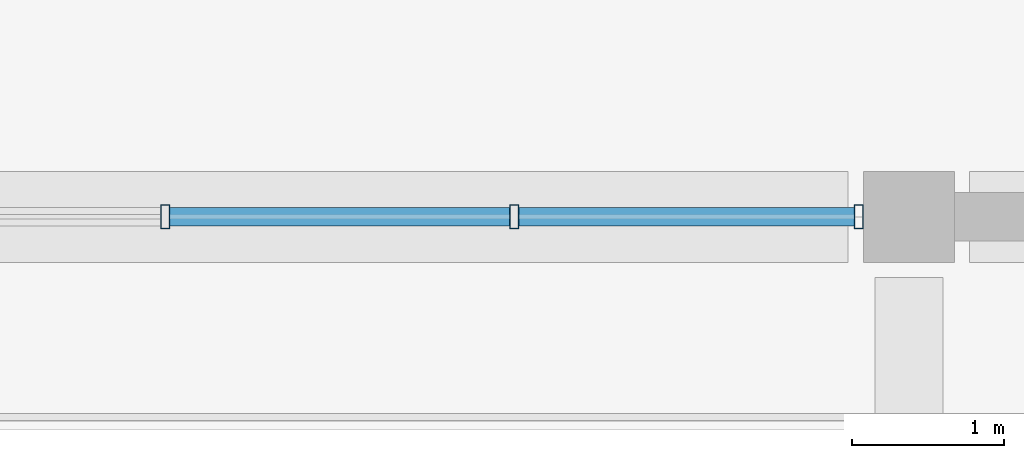
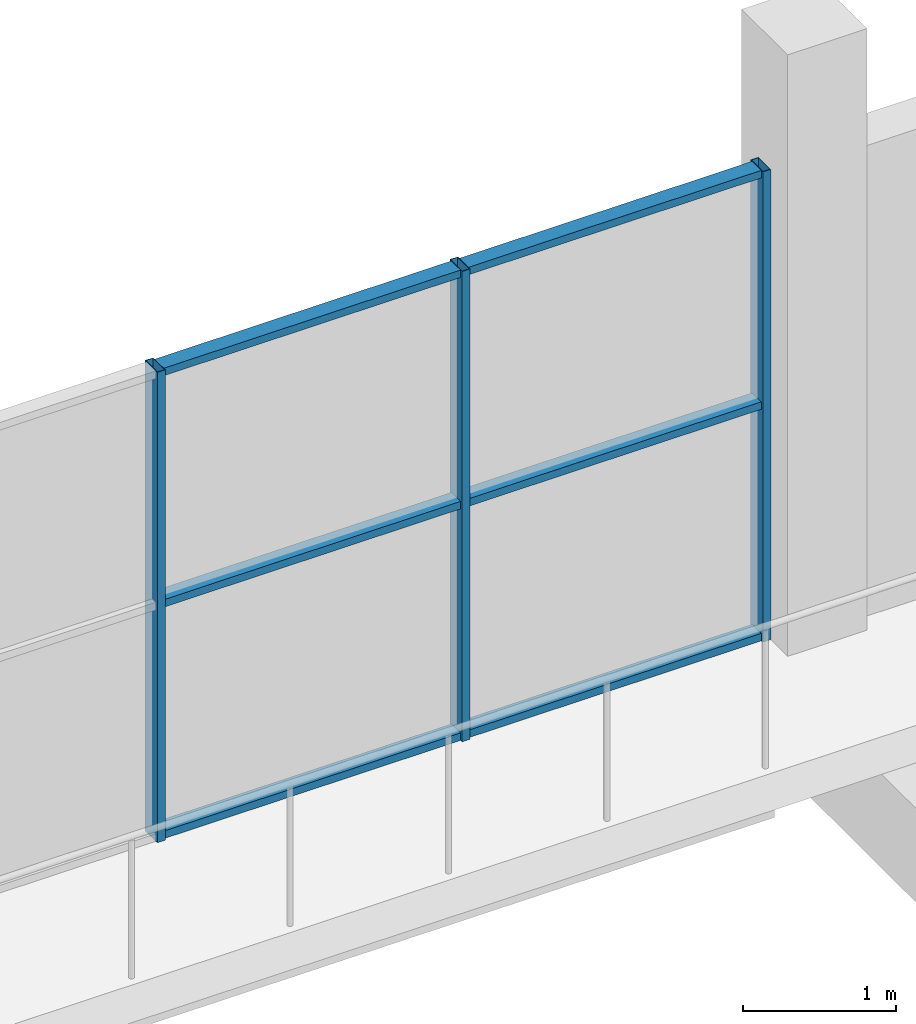
# One storey, part 56 of 130: 9 members, 1 element without a shape of its own.
"""IFC4 building model written with IfcOpenShell, lengths in metres."""

from ifc_helpers import new_model, si_unit, direction, frame, origin, origin_2d, place, context, subcontext, project, spatial, hollow_rectangle, extrude, material, material_profile, profile_set, type_object, element, aggregate, save


model = new_model("IFC4")

# Units and contexts
model_context = context("Model", 3, precision=1e-05, world=origin(), true_north=direction((0.0, 1.0)))
body_context = subcontext(model_context, "Body", "Model", "MODEL_VIEW")
ifc_project = project(units=[si_unit("LENGTHUNIT", "METRE"), si_unit("AREAUNIT", "SQUARE_METRE"), si_unit("VOLUMEUNIT", "CUBIC_METRE"), si_unit("PLANEANGLEUNIT", "RADIAN"), si_unit("MASSUNIT", "GRAM", prefix="KILO"), si_unit("THERMODYNAMICTEMPERATUREUNIT", "KELVIN")], contexts=[model_context])

# Site, building, storey
site_placement = place(None, origin())
site = spatial("IfcSite", under=ifc_project, at=site_placement, CompositionType="ELEMENT")
building_placement = place(site_placement, origin())
building = spatial("IfcBuilding", under=site, at=building_placement, Name="Nduvali Passage Aquatics Centre", CompositionType="ELEMENT")
storey_placement = place(building_placement, origin())
storey = spatial("IfcBuildingStorey", under=building, at=storey_placement, Name="L00", CompositionType="ELEMENT", Elevation=0.0)

# Curtain wall, members
ifc_material = material(Name="Aluminium EN AW-6063 T6", Category="aluminium")
curtain_wall_type = type_object("IfcCurtainWallType", Name="ENV-CW-WELL", PredefinedType="NOTDEFINED", material=ifc_material)
curtain_wall_placement = place(storey_placement, origin())
curtain_wall = element("IfcCurtainWall", 1, at=curtain_wall_placement, inside=storey, type_object=curtain_wall_type, Name="L00 North Avenue Lobby CW 099", PredefinedType="NOTDEFINED")
ifc_material_profile_1 = material_profile(ifc_material, hollow_rectangle(XDim=0.06005859375, YDim=0.159912109375, WallThickness=0.00390625, at=origin_2d()), Name="ALU MULLION 60x160x4")
ifc_profile_set_1 = profile_set([ifc_material_profile_1], Name="Aluminium EN AW-6063 T6")
member_type_1 = type_object("IfcMemberType", Name="ENV-MEM-MUL60", PredefinedType="MULLION", material=ifc_profile_set_1)
member_1_placement = place(storey_placement, frame((63.5, 117.60009765625, 0.0), z_axis=(0.0, 0.0, 1.0), x_axis=(1.0, 0.0, 0.0)))
member_1 = element("IfcMember", 2, at=member_1_placement, type_object=member_type_1, Name="North Avenue Lobby CW Mullion 5", PredefinedType="MULLION", context=body_context, shape_type="SweptSolid", body=[
    extrude(hollow_rectangle(XDim=0.06005859375, YDim=0.159912109375, WallThickness=0.00390625, at=origin_2d()), origin(), (0.0, 0.0, 1.0), 3.75390625),
])
member_2_placement = place(storey_placement, frame((65.800048828125, 117.60009765625, 0.0), z_axis=(0.0, 0.0, 1.0), x_axis=(1.0, 0.0, 0.0)))
member_2 = element("IfcMember", 3, at=member_2_placement, type_object=member_type_1, Name="North Avenue Lobby CW Mullion 6", PredefinedType="MULLION", context=body_context, shape_type="SweptSolid", body=[
    extrude(hollow_rectangle(XDim=0.06005859375, YDim=0.159912109375, WallThickness=0.00390625, at=origin_2d()), origin(), (0.0, 0.0, 1.0), 3.75390625),
])
member_3_placement = place(storey_placement, frame((68.070068359375, 117.60009765625, 0.0), z_axis=(0.0, 0.0, 1.0), x_axis=(1.0, 0.0, 0.0)))
member_3 = element("IfcMember", 4, at=member_3_placement, type_object=member_type_1, Name="North Avenue Lobby CW Mullion 7", PredefinedType="MULLION", context=body_context, shape_type="SweptSolid", body=[
    extrude(hollow_rectangle(XDim=0.06005859375, YDim=0.159912109375, WallThickness=0.00390625, at=origin_2d()), origin(), (0.0, 0.0, 1.0), 3.75390625),
])
ifc_material_profile_2 = material_profile(ifc_material, hollow_rectangle(XDim=0.1201171875, YDim=0.06005859375, WallThickness=0.00390625, at=origin_2d()), Name="ALU TRANSOM 120x60x4")
ifc_profile_set_2 = profile_set([ifc_material_profile_2], Name="Aluminium EN AW-6063 T6")
member_type_2 = type_object("IfcMemberType", Name="ENV-MEM-TRN60", PredefinedType="USERDEFINED", material=ifc_profile_set_2)
member_4_placement = place(storey_placement, frame((63.530029296875, 117.60009765625, 0.030029296875), z_axis=(1.0, 0.0, 0.0), x_axis=(0.0, 1.0, 0.0)))
member_4 = element("IfcMember", 5, at=member_4_placement, type_object=member_type_2, Name="North Avenue Lobby CW Transom B5-R0", ObjectType="TRANSOM", PredefinedType="USERDEFINED", context=body_context, shape_type="SweptSolid", body=[
    extrude(hollow_rectangle(XDim=0.1201171875, YDim=0.06005859375, WallThickness=0.00390625, at=origin_2d()), origin(), (0.0, 0.0, 1.0), 2.239990234375),
])
member_5_placement = place(storey_placement, frame((63.530029296875, 117.60009765625, 1.876953125), z_axis=(1.0, 0.0, 0.0), x_axis=(0.0, 1.0, 0.0)))
member_5 = element("IfcMember", 6, at=member_5_placement, type_object=member_type_2, Name="North Avenue Lobby CW Transom B5-R1", ObjectType="TRANSOM", PredefinedType="USERDEFINED", context=body_context, shape_type="SweptSolid", body=[
    extrude(hollow_rectangle(XDim=0.1201171875, YDim=0.06005859375, WallThickness=0.00390625, at=origin_2d()), origin(), (0.0, 0.0, 1.0), 2.239990234375),
])
member_6_placement = place(storey_placement, frame((63.530029296875, 117.60009765625, 3.723876953125), z_axis=(1.0, 0.0, 0.0), x_axis=(0.0, 1.0, 0.0)))
member_6 = element("IfcMember", 7, at=member_6_placement, type_object=member_type_2, Name="North Avenue Lobby CW Transom B5-R2", ObjectType="TRANSOM", PredefinedType="USERDEFINED", context=body_context, shape_type="SweptSolid", body=[
    extrude(hollow_rectangle(XDim=0.1201171875, YDim=0.06005859375, WallThickness=0.00390625, at=origin_2d()), origin(), (0.0, 0.0, 1.0), 2.239990234375),
])
member_7_placement = place(storey_placement, frame((65.830078125, 117.60009765625, 0.030029296875), z_axis=(1.0, 0.0, 0.0), x_axis=(0.0, 1.0, 0.0)))
member_7 = element("IfcMember", 8, at=member_7_placement, type_object=member_type_2, Name="North Avenue Lobby CW Transom B6-R0", ObjectType="TRANSOM", PredefinedType="USERDEFINED", context=body_context, shape_type="SweptSolid", body=[
    extrude(hollow_rectangle(XDim=0.1201171875, YDim=0.06005859375, WallThickness=0.00390625, at=origin_2d()), origin(), (0.0, 0.0, 1.0), 2.2099609375),
])
member_8_placement = place(storey_placement, frame((65.830078125, 117.60009765625, 1.876953125), z_axis=(1.0, 0.0, 0.0), x_axis=(0.0, 1.0, 0.0)))
member_8 = element("IfcMember", 9, at=member_8_placement, type_object=member_type_2, Name="North Avenue Lobby CW Transom B6-R1", ObjectType="TRANSOM", PredefinedType="USERDEFINED", context=body_context, shape_type="SweptSolid", body=[
    extrude(hollow_rectangle(XDim=0.1201171875, YDim=0.06005859375, WallThickness=0.00390625, at=origin_2d()), origin(), (0.0, 0.0, 1.0), 2.2099609375),
])
member_9_placement = place(storey_placement, frame((65.830078125, 117.60009765625, 3.723876953125), z_axis=(1.0, 0.0, 0.0), x_axis=(0.0, 1.0, 0.0)))
member_9 = element("IfcMember", 10, at=member_9_placement, type_object=member_type_2, Name="North Avenue Lobby CW Transom B6-R2", ObjectType="TRANSOM", PredefinedType="USERDEFINED", context=body_context, shape_type="SweptSolid", body=[
    extrude(hollow_rectangle(XDim=0.1201171875, YDim=0.06005859375, WallThickness=0.00390625, at=origin_2d()), origin(), (0.0, 0.0, 1.0), 2.2099609375),
])
aggregate(curtain_wall, [member_1, member_2, member_3, member_4, member_5, member_6, member_7, member_8, member_9])

save(model, "model.ifc")
